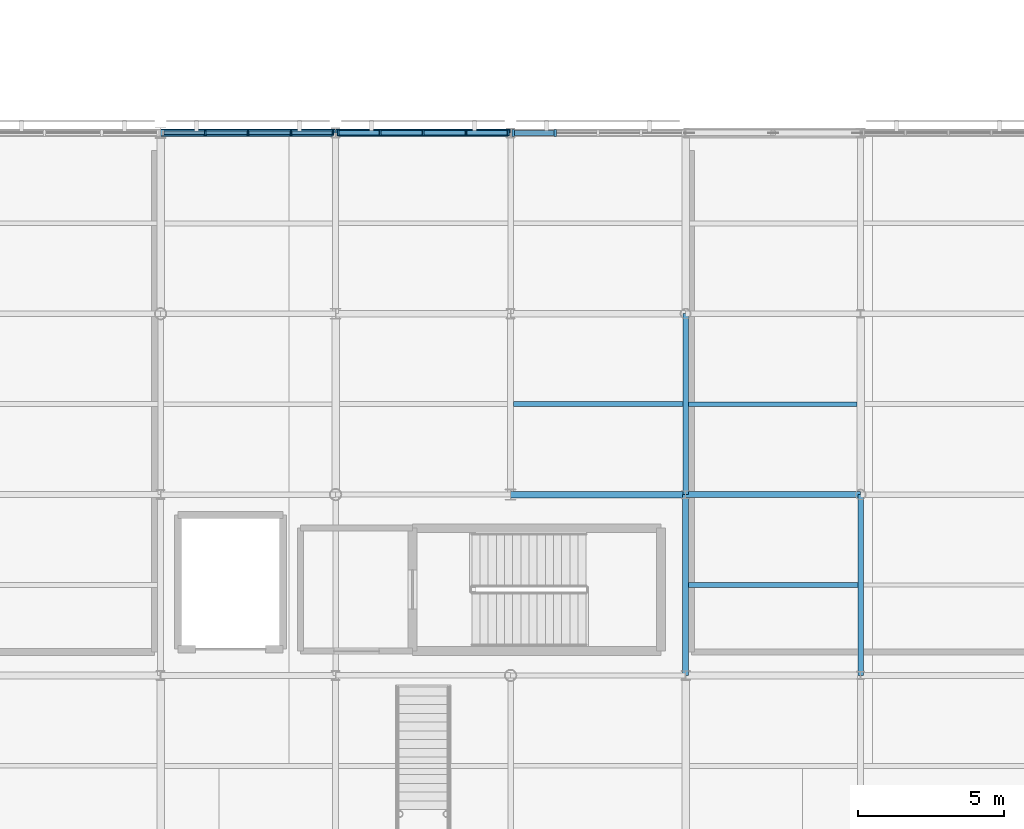
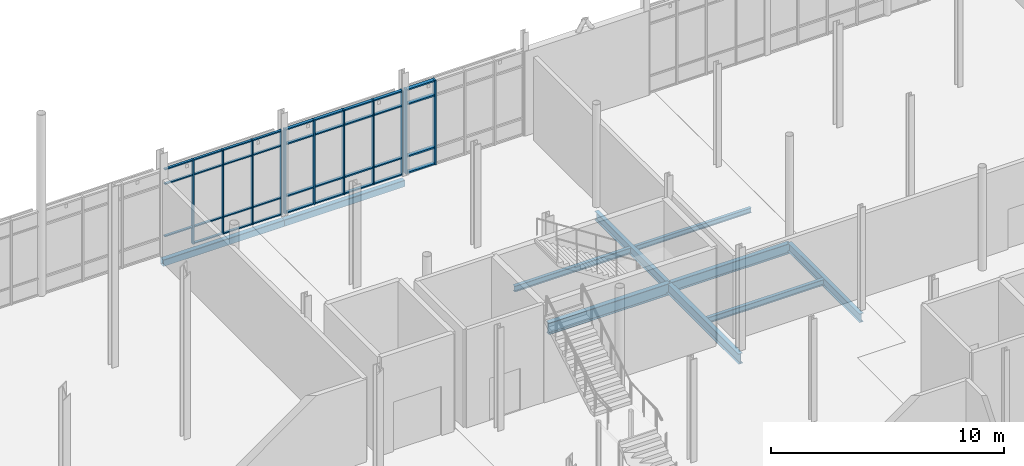
# One storey, part 35 of 105: 46 members, 10 beams, 3 elements without a shape of their own.
"""IFC4 building model written with IfcOpenShell, lengths in metres."""

from ifc_helpers import new_model, si_unit, direction, frame, origin, origin_2d, place, context, subcontext, project, spatial, rectangle, hollow_rectangle, i_section, extrude, material, layer, layer_set, material_profile, profile_set, type_object, element, aggregate, save


model = new_model("IFC4")

# Units and contexts
model_context = context("Model", 3, precision=1e-05, world=origin(), true_north=direction((0.0, 1.0)))
body_context = subcontext(model_context, "Body", "Model", "MODEL_VIEW")
ifc_project = project(units=[si_unit("LENGTHUNIT", "METRE"), si_unit("AREAUNIT", "SQUARE_METRE"), si_unit("VOLUMEUNIT", "CUBIC_METRE"), si_unit("PLANEANGLEUNIT", "RADIAN"), si_unit("MASSUNIT", "GRAM", prefix="KILO")], contexts=[model_context])

# Site, building, storey
site_placement = place(None, origin())
site = spatial("IfcSite", under=ifc_project, at=site_placement, CompositionType="ELEMENT")
building_placement = place(site_placement, origin())
building = spatial("IfcBuilding", under=site, at=building_placement, Name="Mirzam Square Science Centre", CompositionType="ELEMENT")
storey_placement = place(building_placement, frame((0.0, 0.0, 5.39990234375)))
storey = spatial("IfcBuildingStorey", under=building, at=storey_placement, Name="L01", CompositionType="ELEMENT", Elevation=5.39990234375)

# Beams
ifc_material_1 = material(Name="Steel S355", Category="steel")
ifc_material_profile_1 = material_profile(ifc_material_1, i_section(OverallWidth=0.19140625, OverallDepth=0.4599609375, WebThickness=0.010009765625, FlangeThickness=0.01611328125, FilletRadius=0.01025390625, at=origin_2d()), Name="457x191x82UB")
ifc_profile_set_1 = profile_set([ifc_material_profile_1], Name="Steel S355")
beam_type_1 = type_object("IfcBeamType", Name="BM-UB457", PredefinedType="BEAM", material=ifc_profile_set_1)
for number, where, z_axis, x_axis, name in (
    (1, (36.0, 68.199951171875, -0.489990234375), (0.0, 1.0, 0.0), (-1.0, 0.0, 0.0), "L01 girder Y7-12"),
    (2, (42.0, 62.0, -0.489990234375), (0.0, 1.0, 0.0), (-1.0, 0.0, 0.0), "L01 girder Y8-11"),
):
    element("IfcBeam", number, at=place(storey_placement, frame(where, z_axis=z_axis, x_axis=x_axis)), inside=storey, type_object=beam_type_1, Name=name, PredefinedType="BEAM", context=body_context, shape_type="SweptSolid", body=[
        extrude(i_section(OverallWidth=0.19140625, OverallDepth=0.4599609375, WebThickness=0.010009765625, FlangeThickness=0.01611328125, FilletRadius=0.01025390625, at=origin_2d()), origin(), (0.0, 0.0, 1.0), 6.199951171875),
    ])
ifc_material_profile_2 = material_profile(ifc_material_1, i_section(OverallWidth=0.2099609375, OverallDepth=0.53662109375, WebThickness=0.0107421875, FlangeThickness=0.017333984375, FilletRadius=0.0126953125, at=origin_2d()), Name="533x210x101UB")
ifc_profile_set_2 = profile_set([ifc_material_profile_2], Name="Steel S355")
beam_type_2 = type_object("IfcBeamType", Name="BM-UB533", PredefinedType="BEAM", material=ifc_profile_set_2)
beam_1_placement = place(storey_placement, frame((36.0, 68.199951171875, -0.5283203125), z_axis=(1.0, 0.0, 0.0), x_axis=(0.0, 1.0, 0.0)))
element("IfcBeam", 3, at=beam_1_placement, inside=storey, type_object=beam_type_2, Name="L01 girder X7-12", PredefinedType="BEAM", context=body_context, shape_type="SweptSolid", body=[
    extrude(i_section(OverallWidth=0.2099609375, OverallDepth=0.53662109375, WebThickness=0.0107421875, FlangeThickness=0.017333984375, FilletRadius=0.0126953125, at=origin_2d()), origin(), (0.0, 0.0, 1.0), 6.0),
])
beam_2_placement = place(storey_placement, frame((36.0, 62.0, -0.5283203125), z_axis=(0.0, 1.0, 0.0), x_axis=(-1.0, 0.0, 0.0)))
element("IfcBeam", 4, at=beam_2_placement, inside=storey, type_object=beam_type_2, Name="L01 girder Y7-11", PredefinedType="BEAM", context=body_context, shape_type="SweptSolid", body=[
    extrude(i_section(OverallWidth=0.2099609375, OverallDepth=0.53662109375, WebThickness=0.0107421875, FlangeThickness=0.017333984375, FilletRadius=0.0126953125, at=origin_2d()), origin(), (0.0, 0.0, 1.0), 6.199951171875),
])
ifc_material_profile_3 = material_profile(ifc_material_1, i_section(OverallWidth=0.22900390625, OverallDepth=0.6123046875, WebThickness=0.011962890625, FlangeThickness=0.01953125, FilletRadius=0.0126953125, at=origin_2d()), Name="610x229x125UB")
ifc_profile_set_3 = profile_set([ifc_material_profile_3], Name="Steel S355")
beam_type_3 = type_object("IfcBeamType", Name="BM-UB610", PredefinedType="BEAM", material=ifc_profile_set_3)
beam_3_placement = place(storey_placement, frame((30.0, 68.199951171875, -0.56591796875), z_axis=(1.0, 0.0, 0.0), x_axis=(0.0, 1.0, 0.0)))
element("IfcBeam", 5, at=beam_3_placement, inside=storey, type_object=beam_type_3, Name="L01 girder X6-12", PredefinedType="BEAM", context=body_context, shape_type="SweptSolid", body=[
    extrude(i_section(OverallWidth=0.22900390625, OverallDepth=0.6123046875, WebThickness=0.011962890625, FlangeThickness=0.01953125, FilletRadius=0.0126953125, at=origin_2d()), origin(), (0.0, 0.0, 1.0), 6.0),
])

# Curtain wall, members
ifc_material_2 = material(Name="Anodised Aluminium and Low-E Solar Glass", Category="aluminium")
ifc_layer_1 = layer(ifc_material_2, 0.219970703125)
ifc_layer_set_1 = layer_set([ifc_layer_1], Name="CW-OBS-A")
curtain_wall_type_1 = type_object("IfcCurtainWallType", Name="CW-OBS-A", PredefinedType="USERDEFINED", material=ifc_layer_set_1)
curtain_wall_1_placement = place(storey_placement, origin())
curtain_wall_1 = element("IfcCurtainWall", 6, at=curtain_wall_1_placement, inside=storey, type_object=curtain_wall_type_1, Name="L01 unitised curtain wall 12", ObjectType="UNITISED CURTAIN WALL", PredefinedType="USERDEFINED")
ifc_material_3 = material(Name="Anodised Architectural Aluminium 6063-T6", Category="aluminium")
ifc_material_profile_4 = material_profile(ifc_material_3, rectangle(XDim=0.06005859375, YDim=0.159912109375, at=origin_2d()), Name="ALU-MULL-160x60x4")
ifc_profile_set_4 = profile_set([ifc_material_profile_4], Name="Anodised Architectural Aluminium 6063-T6")
member_type_1 = type_object("IfcMemberType", Name="CWM-160", PredefinedType="MULLION", material=ifc_profile_set_4)
member_1_placement = place(storey_placement, frame((23.9150390625, 80.60009765625, 0.0), z_axis=(0.0, 0.0, 1.0), x_axis=(-1.0, 0.0, 0.0)))
member_1 = element("IfcMember", 7, at=member_1_placement, type_object=member_type_1, Name="CW-07 mullion 1", PredefinedType="MULLION", context=body_context, shape_type="SweptSolid", body=[
    extrude(rectangle(XDim=0.06005859375, YDim=0.159912109375, at=origin_2d()), origin(), (0.0, 0.0, 1.0), 4.440185546875),
])
member_2_placement = place(storey_placement, frame((22.472412109375, 80.60009765625, 0.0), z_axis=(0.0, 0.0, 1.0), x_axis=(-1.0, 0.0, 0.0)))
member_2 = element("IfcMember", 8, at=member_2_placement, type_object=member_type_1, Name="CW-07 mullion 2", PredefinedType="MULLION", context=body_context, shape_type="SweptSolid", body=[
    extrude(rectangle(XDim=0.06005859375, YDim=0.159912109375, at=origin_2d()), origin(), (0.0, 0.0, 1.0), 4.440185546875),
])
member_3_placement = place(storey_placement, frame((21.0, 80.60009765625, 0.0), z_axis=(0.0, 0.0, 1.0), x_axis=(-1.0, 0.0, 0.0)))
member_3 = element("IfcMember", 9, at=member_3_placement, type_object=member_type_1, Name="CW-07 mullion 3", PredefinedType="MULLION", context=body_context, shape_type="SweptSolid", body=[
    extrude(rectangle(XDim=0.06005859375, YDim=0.159912109375, at=origin_2d()), origin(), (0.0, 0.0, 1.0), 4.440185546875),
])
member_4_placement = place(storey_placement, frame((19.527587890625, 80.60009765625, 0.0), z_axis=(0.0, 0.0, 1.0), x_axis=(-1.0, 0.0, 0.0)))
member_4 = element("IfcMember", 10, at=member_4_placement, type_object=member_type_1, Name="CW-07 mullion 4", PredefinedType="MULLION", context=body_context, shape_type="SweptSolid", body=[
    extrude(rectangle(XDim=0.06005859375, YDim=0.159912109375, at=origin_2d()), origin(), (0.0, 0.0, 1.0), 4.440185546875),
])

ifc_layer_2 = layer(ifc_material_2, 0.179931640625)
ifc_layer_set_2 = layer_set([ifc_layer_2], Name="CW-LINK-A")
curtain_wall_type_2 = type_object("IfcCurtainWallType", Name="CW-LINK-A", PredefinedType="USERDEFINED", material=ifc_layer_set_2)
curtain_wall_2_placement = place(storey_placement, origin())
curtain_wall_2 = element("IfcCurtainWall", 11, at=curtain_wall_2_placement, inside=storey, type_object=curtain_wall_type_2, Name="L01 unitised curtain wall 13", ObjectType="UNITISED CURTAIN WALL", PredefinedType="USERDEFINED")
ifc_material_profile_5 = material_profile(ifc_material_3, rectangle(XDim=0.06494140625, YDim=0.199951171875, at=origin_2d()), Name="ALU-MULL-200x65x5")
ifc_profile_set_5 = profile_set([ifc_material_profile_5], Name="Anodised Architectural Aluminium 6063-T6")
member_type_2 = type_object("IfcMemberType", Name="CWM-200", PredefinedType="MULLION", material=ifc_profile_set_5)
member_5_placement = place(storey_placement, frame((29.91259765625, 80.60009765625, 0.0), z_axis=(0.0, 0.0, 1.0), x_axis=(-1.0, 0.0, 0.0)))
member_5 = element("IfcMember", 12, at=member_5_placement, type_object=member_type_2, Name="CW-08 mullion 1", PredefinedType="MULLION", context=body_context, shape_type="SweptSolid", body=[
    extrude(rectangle(XDim=0.06494140625, YDim=0.199951171875, at=origin_2d()), origin(), (0.0, 0.0, 1.0), 4.440185546875),
])
member_6_placement = place(storey_placement, frame((28.472412109375, 80.60009765625, 0.0), z_axis=(0.0, 0.0, 1.0), x_axis=(-1.0, 0.0, 0.0)))
member_6 = element("IfcMember", 13, at=member_6_placement, type_object=member_type_2, Name="CW-08 mullion 2", PredefinedType="MULLION", context=body_context, shape_type="SweptSolid", body=[
    extrude(rectangle(XDim=0.06494140625, YDim=0.199951171875, at=origin_2d()), origin(), (0.0, 0.0, 1.0), 4.440185546875),
])
member_7_placement = place(storey_placement, frame((27.0, 80.60009765625, 0.0), z_axis=(0.0, 0.0, 1.0), x_axis=(-1.0, 0.0, 0.0)))
member_7 = element("IfcMember", 14, at=member_7_placement, type_object=member_type_2, Name="CW-08 mullion 3", PredefinedType="MULLION", context=body_context, shape_type="SweptSolid", body=[
    extrude(rectangle(XDim=0.06494140625, YDim=0.199951171875, at=origin_2d()), origin(), (0.0, 0.0, 1.0), 4.440185546875),
])
member_8_placement = place(storey_placement, frame((25.527587890625, 80.60009765625, 0.0), z_axis=(0.0, 0.0, 1.0), x_axis=(-1.0, 0.0, 0.0)))
member_8 = element("IfcMember", 15, at=member_8_placement, type_object=member_type_2, Name="CW-08 mullion 4", PredefinedType="MULLION", context=body_context, shape_type="SweptSolid", body=[
    extrude(rectangle(XDim=0.06494140625, YDim=0.199951171875, at=origin_2d()), origin(), (0.0, 0.0, 1.0), 4.440185546875),
])
member_9_placement = place(storey_placement, frame((24.08740234375, 80.60009765625, 0.0), z_axis=(0.0, 0.0, 1.0), x_axis=(-1.0, 0.0, 0.0)))
member_9 = element("IfcMember", 16, at=member_9_placement, type_object=member_type_2, Name="CW-08 mullion 5", PredefinedType="MULLION", context=body_context, shape_type="SweptSolid", body=[
    extrude(rectangle(XDim=0.06494140625, YDim=0.199951171875, at=origin_2d()), origin(), (0.0, 0.0, 1.0), 4.440185546875),
])

ifc_layer_3 = layer(ifc_material_2, 0.179931640625)
ifc_layer_set_3 = layer_set([ifc_layer_3], Name="CW-PARK-A")
curtain_wall_type_3 = type_object("IfcCurtainWallType", Name="CW-PARK-A", PredefinedType="USERDEFINED", material=ifc_layer_set_3)
curtain_wall_3_placement = place(storey_placement, origin())
curtain_wall_3 = element("IfcCurtainWall", 17, at=curtain_wall_3_placement, inside=storey, type_object=curtain_wall_type_3, Name="L01 unitised curtain wall 14", ObjectType="UNITISED CURTAIN WALL", PredefinedType="USERDEFINED")
ifc_material_profile_6 = material_profile(ifc_material_3, rectangle(XDim=0.074951171875, YDim=0.239990234375, at=origin_2d()), Name="ALU-MULL-240x75x5")
ifc_profile_set_6 = profile_set([ifc_material_profile_6], Name="Anodised Architectural Aluminium 6063-T6")
member_type_3 = type_object("IfcMemberType", Name="CWM-240", PredefinedType="MULLION", material=ifc_profile_set_6)
member_10_placement = place(storey_placement, frame((31.527587890625, 80.60009765625, 0.0), z_axis=(0.0, 0.0, 1.0), x_axis=(-1.0, 0.0, 0.0)))
member_10 = element("IfcMember", 18, at=member_10_placement, type_object=member_type_3, Name="CW-01 mullion 4", PredefinedType="MULLION", context=body_context, shape_type="SweptSolid", body=[
    extrude(rectangle(XDim=0.074951171875, YDim=0.239990234375, at=origin_2d()), origin(), (0.0, 0.0, 1.0), 4.440185546875),
])
member_11_placement = place(storey_placement, frame((30.092529296875, 80.60009765625, 0.0), z_axis=(0.0, 0.0, 1.0), x_axis=(-1.0, 0.0, 0.0)))
member_11 = element("IfcMember", 19, at=member_11_placement, type_object=member_type_3, Name="CW-01 mullion 5", PredefinedType="MULLION", context=body_context, shape_type="SweptSolid", body=[
    extrude(rectangle(XDim=0.074951171875, YDim=0.239990234375, at=origin_2d()), origin(), (0.0, 0.0, 1.0), 4.440185546875),
])

# Member
ifc_material_profile_7 = material_profile(ifc_material_3, rectangle(XDim=0.1201171875, YDim=0.06005859375, at=origin_2d()), Name="ALU-TRAN-120x60x4")
ifc_profile_set_7 = profile_set([ifc_material_profile_7], Name="Anodised Architectural Aluminium 6063-T6")
member_type_4 = type_object("IfcMemberType", Name="CWT-120", PredefinedType="USERDEFINED", material=ifc_profile_set_7)
member_12_placement = place(storey_placement, frame((23.885009765625, 80.60009765625, 0.030029296875), z_axis=(-1.0, 0.0, 0.0), x_axis=(0.0, -1.0, 0.0)))
member_12 = element("IfcMember", 20, at=member_12_placement, type_object=member_type_4, Name="CW-07 transom 1.1", ObjectType="TRANSOM", PredefinedType="USERDEFINED", context=body_context, shape_type="SweptSolid", body=[
    extrude(rectangle(XDim=0.1201171875, YDim=0.06005859375, at=origin_2d()), origin(), (0.0, 0.0, 1.0), 1.382568359375),
])

member_13_placement = place(storey_placement, frame((23.885009765625, 80.60009765625, 0.900146484375), z_axis=(-1.0, 0.0, 0.0), x_axis=(0.0, -1.0, 0.0)))
member_13 = element("IfcMember", 21, at=member_13_placement, type_object=member_type_4, Name="CW-07 transom 1.2", ObjectType="TRANSOM", PredefinedType="USERDEFINED", context=body_context, shape_type="SweptSolid", body=[
    extrude(rectangle(XDim=0.1201171875, YDim=0.06005859375, at=origin_2d()), origin(), (0.0, 0.0, 1.0), 1.382568359375),
])

member_14_placement = place(storey_placement, frame((23.885009765625, 80.60009765625, 3.64013671875), z_axis=(-1.0, 0.0, 0.0), x_axis=(0.0, -1.0, 0.0)))
member_14 = element("IfcMember", 22, at=member_14_placement, type_object=member_type_4, Name="CW-07 transom 1.3", ObjectType="TRANSOM", PredefinedType="USERDEFINED", context=body_context, shape_type="SweptSolid", body=[
    extrude(rectangle(XDim=0.1201171875, YDim=0.06005859375, at=origin_2d()), origin(), (0.0, 0.0, 1.0), 1.382568359375),
])

member_15_placement = place(storey_placement, frame((23.885009765625, 80.60009765625, 4.41015625), z_axis=(-1.0, 0.0, 0.0), x_axis=(0.0, -1.0, 0.0)))
member_15 = element("IfcMember", 23, at=member_15_placement, type_object=member_type_4, Name="CW-07 transom 1.4", ObjectType="TRANSOM", PredefinedType="USERDEFINED", context=body_context, shape_type="SweptSolid", body=[
    extrude(rectangle(XDim=0.1201171875, YDim=0.06005859375, at=origin_2d()), origin(), (0.0, 0.0, 1.0), 1.382568359375),
])

member_16_placement = place(storey_placement, frame((22.4423828125, 80.60009765625, 0.030029296875), z_axis=(-1.0, 0.0, 0.0), x_axis=(0.0, -1.0, 0.0)))
member_16 = element("IfcMember", 24, at=member_16_placement, type_object=member_type_4, Name="CW-07 transom 2.1", ObjectType="TRANSOM", PredefinedType="USERDEFINED", context=body_context, shape_type="SweptSolid", body=[
    extrude(rectangle(XDim=0.1201171875, YDim=0.06005859375, at=origin_2d()), origin(), (0.0, 0.0, 1.0), 1.412353515625),
])

member_17_placement = place(storey_placement, frame((22.4423828125, 80.60009765625, 0.900146484375), z_axis=(-1.0, 0.0, 0.0), x_axis=(0.0, -1.0, 0.0)))
member_17 = element("IfcMember", 25, at=member_17_placement, type_object=member_type_4, Name="CW-07 transom 2.2", ObjectType="TRANSOM", PredefinedType="USERDEFINED", context=body_context, shape_type="SweptSolid", body=[
    extrude(rectangle(XDim=0.1201171875, YDim=0.06005859375, at=origin_2d()), origin(), (0.0, 0.0, 1.0), 1.412353515625),
])

member_18_placement = place(storey_placement, frame((22.4423828125, 80.60009765625, 3.64013671875), z_axis=(-1.0, 0.0, 0.0), x_axis=(0.0, -1.0, 0.0)))
member_18 = element("IfcMember", 26, at=member_18_placement, type_object=member_type_4, Name="CW-07 transom 2.3", ObjectType="TRANSOM", PredefinedType="USERDEFINED", context=body_context, shape_type="SweptSolid", body=[
    extrude(rectangle(XDim=0.1201171875, YDim=0.06005859375, at=origin_2d()), origin(), (0.0, 0.0, 1.0), 1.412353515625),
])

member_19_placement = place(storey_placement, frame((22.4423828125, 80.60009765625, 4.41015625), z_axis=(-1.0, 0.0, 0.0), x_axis=(0.0, -1.0, 0.0)))
member_19 = element("IfcMember", 27, at=member_19_placement, type_object=member_type_4, Name="CW-07 transom 2.4", ObjectType="TRANSOM", PredefinedType="USERDEFINED", context=body_context, shape_type="SweptSolid", body=[
    extrude(rectangle(XDim=0.1201171875, YDim=0.06005859375, at=origin_2d()), origin(), (0.0, 0.0, 1.0), 1.412353515625),
])

member_20_placement = place(storey_placement, frame((20.969970703125, 80.60009765625, 0.030029296875), z_axis=(-1.0, 0.0, 0.0), x_axis=(0.0, -1.0, 0.0)))
member_20 = element("IfcMember", 28, at=member_20_placement, type_object=member_type_4, Name="CW-07 transom 3.1", ObjectType="TRANSOM", PredefinedType="USERDEFINED", context=body_context, shape_type="SweptSolid", body=[
    extrude(rectangle(XDim=0.1201171875, YDim=0.06005859375, at=origin_2d()), origin(), (0.0, 0.0, 1.0), 1.412353515625),
])

member_21_placement = place(storey_placement, frame((20.969970703125, 80.60009765625, 0.900146484375), z_axis=(-1.0, 0.0, 0.0), x_axis=(0.0, -1.0, 0.0)))
member_21 = element("IfcMember", 29, at=member_21_placement, type_object=member_type_4, Name="CW-07 transom 3.2", ObjectType="TRANSOM", PredefinedType="USERDEFINED", context=body_context, shape_type="SweptSolid", body=[
    extrude(rectangle(XDim=0.1201171875, YDim=0.06005859375, at=origin_2d()), origin(), (0.0, 0.0, 1.0), 1.412353515625),
])

member_22_placement = place(storey_placement, frame((20.969970703125, 80.60009765625, 3.64013671875), z_axis=(-1.0, 0.0, 0.0), x_axis=(0.0, -1.0, 0.0)))
member_22 = element("IfcMember", 30, at=member_22_placement, type_object=member_type_4, Name="CW-07 transom 3.3", ObjectType="TRANSOM", PredefinedType="USERDEFINED", context=body_context, shape_type="SweptSolid", body=[
    extrude(rectangle(XDim=0.1201171875, YDim=0.06005859375, at=origin_2d()), origin(), (0.0, 0.0, 1.0), 1.412353515625),
])

member_23_placement = place(storey_placement, frame((20.969970703125, 80.60009765625, 4.41015625), z_axis=(-1.0, 0.0, 0.0), x_axis=(0.0, -1.0, 0.0)))
member_23 = element("IfcMember", 31, at=member_23_placement, type_object=member_type_4, Name="CW-07 transom 3.4", ObjectType="TRANSOM", PredefinedType="USERDEFINED", context=body_context, shape_type="SweptSolid", body=[
    extrude(rectangle(XDim=0.1201171875, YDim=0.06005859375, at=origin_2d()), origin(), (0.0, 0.0, 1.0), 1.412353515625),
])

member_24_placement = place(storey_placement, frame((19.49755859375, 80.60009765625, 0.900146484375), z_axis=(-1.0, 0.0, 0.0), x_axis=(0.0, -1.0, 0.0)))
member_24 = element("IfcMember", 32, at=member_24_placement, type_object=member_type_4, Name="CW-07 transom 4.2", ObjectType="TRANSOM", PredefinedType="USERDEFINED", context=body_context, shape_type="SweptSolid", body=[
    extrude(rectangle(XDim=0.1201171875, YDim=0.06005859375, at=origin_2d()), origin(), (0.0, 0.0, 1.0), 1.382568359375),
])

member_25_placement = place(storey_placement, frame((19.49755859375, 80.60009765625, 3.64013671875), z_axis=(-1.0, 0.0, 0.0), x_axis=(0.0, -1.0, 0.0)))
member_25 = element("IfcMember", 33, at=member_25_placement, type_object=member_type_4, Name="CW-07 transom 4.3", ObjectType="TRANSOM", PredefinedType="USERDEFINED", context=body_context, shape_type="SweptSolid", body=[
    extrude(rectangle(XDim=0.1201171875, YDim=0.06005859375, at=origin_2d()), origin(), (0.0, 0.0, 1.0), 1.382568359375),
])

member_26_placement = place(storey_placement, frame((19.49755859375, 80.60009765625, 4.41015625), z_axis=(-1.0, 0.0, 0.0), x_axis=(0.0, -1.0, 0.0)))
member_26 = element("IfcMember", 34, at=member_26_placement, type_object=member_type_4, Name="CW-07 transom 4.4", ObjectType="TRANSOM", PredefinedType="USERDEFINED", context=body_context, shape_type="SweptSolid", body=[
    extrude(rectangle(XDim=0.1201171875, YDim=0.06005859375, at=origin_2d()), origin(), (0.0, 0.0, 1.0), 1.382568359375),
])

aggregate(curtain_wall_1, [member_1, member_2, member_3, member_4, member_12, member_13, member_14, member_15, member_16, member_17, member_18, member_19, member_20, member_21, member_22, member_23, member_24, member_25, member_26])

ifc_material_profile_8 = material_profile(ifc_material_3, rectangle(XDim=0.14990234375, YDim=0.06494140625, at=origin_2d()), Name="ALU-TRAN-150x65x4")
ifc_profile_set_8 = profile_set([ifc_material_profile_8], Name="Anodised Architectural Aluminium 6063-T6")
member_type_5 = type_object("IfcMemberType", Name="CWT-150", PredefinedType="USERDEFINED", material=ifc_profile_set_8)
member_27_placement = place(storey_placement, frame((29.8798828125, 80.60009765625, 0.03271484375), z_axis=(-1.0, 0.0, 0.0), x_axis=(0.0, -1.0, 0.0)))
member_27 = element("IfcMember", 35, at=member_27_placement, type_object=member_type_5, Name="CW-08 transom 1.1", ObjectType="TRANSOM", PredefinedType="USERDEFINED", context=body_context, shape_type="SweptSolid", body=[
    extrude(rectangle(XDim=0.14990234375, YDim=0.06494140625, at=origin_2d()), origin(), (0.0, 0.0, 1.0), 1.375),
])

member_28_placement = place(storey_placement, frame((29.8798828125, 80.60009765625, 0.900146484375), z_axis=(-1.0, 0.0, 0.0), x_axis=(0.0, -1.0, 0.0)))
member_28 = element("IfcMember", 36, at=member_28_placement, type_object=member_type_5, Name="CW-08 transom 1.2", ObjectType="TRANSOM", PredefinedType="USERDEFINED", context=body_context, shape_type="SweptSolid", body=[
    extrude(rectangle(XDim=0.14990234375, YDim=0.06494140625, at=origin_2d()), origin(), (0.0, 0.0, 1.0), 1.375),
])

member_29_placement = place(storey_placement, frame((29.8798828125, 80.60009765625, 3.64013671875), z_axis=(-1.0, 0.0, 0.0), x_axis=(0.0, -1.0, 0.0)))
member_29 = element("IfcMember", 37, at=member_29_placement, type_object=member_type_5, Name="CW-08 transom 1.3", ObjectType="TRANSOM", PredefinedType="USERDEFINED", context=body_context, shape_type="SweptSolid", body=[
    extrude(rectangle(XDim=0.14990234375, YDim=0.06494140625, at=origin_2d()), origin(), (0.0, 0.0, 1.0), 1.375),
])

member_30_placement = place(storey_placement, frame((29.8798828125, 80.60009765625, 4.40771484375), z_axis=(-1.0, 0.0, 0.0), x_axis=(0.0, -1.0, 0.0)))
member_30 = element("IfcMember", 38, at=member_30_placement, type_object=member_type_5, Name="CW-08 transom 1.4", ObjectType="TRANSOM", PredefinedType="USERDEFINED", context=body_context, shape_type="SweptSolid", body=[
    extrude(rectangle(XDim=0.14990234375, YDim=0.06494140625, at=origin_2d()), origin(), (0.0, 0.0, 1.0), 1.375),
])

member_31_placement = place(storey_placement, frame((28.43994140625, 80.60009765625, 0.03271484375), z_axis=(-1.0, 0.0, 0.0), x_axis=(0.0, -1.0, 0.0)))
member_31 = element("IfcMember", 39, at=member_31_placement, type_object=member_type_5, Name="CW-08 transom 2.1", ObjectType="TRANSOM", PredefinedType="USERDEFINED", context=body_context, shape_type="SweptSolid", body=[
    extrude(rectangle(XDim=0.14990234375, YDim=0.06494140625, at=origin_2d()), origin(), (0.0, 0.0, 1.0), 1.407470703125),
])

member_32_placement = place(storey_placement, frame((28.43994140625, 80.60009765625, 0.900146484375), z_axis=(-1.0, 0.0, 0.0), x_axis=(0.0, -1.0, 0.0)))
member_32 = element("IfcMember", 40, at=member_32_placement, type_object=member_type_5, Name="CW-08 transom 2.2", ObjectType="TRANSOM", PredefinedType="USERDEFINED", context=body_context, shape_type="SweptSolid", body=[
    extrude(rectangle(XDim=0.14990234375, YDim=0.06494140625, at=origin_2d()), origin(), (0.0, 0.0, 1.0), 1.407470703125),
])

member_33_placement = place(storey_placement, frame((28.43994140625, 80.60009765625, 3.64013671875), z_axis=(-1.0, 0.0, 0.0), x_axis=(0.0, -1.0, 0.0)))
member_33 = element("IfcMember", 41, at=member_33_placement, type_object=member_type_5, Name="CW-08 transom 2.3", ObjectType="TRANSOM", PredefinedType="USERDEFINED", context=body_context, shape_type="SweptSolid", body=[
    extrude(rectangle(XDim=0.14990234375, YDim=0.06494140625, at=origin_2d()), origin(), (0.0, 0.0, 1.0), 1.407470703125),
])

member_34_placement = place(storey_placement, frame((28.43994140625, 80.60009765625, 4.40771484375), z_axis=(-1.0, 0.0, 0.0), x_axis=(0.0, -1.0, 0.0)))
member_34 = element("IfcMember", 42, at=member_34_placement, type_object=member_type_5, Name="CW-08 transom 2.4", ObjectType="TRANSOM", PredefinedType="USERDEFINED", context=body_context, shape_type="SweptSolid", body=[
    extrude(rectangle(XDim=0.14990234375, YDim=0.06494140625, at=origin_2d()), origin(), (0.0, 0.0, 1.0), 1.407470703125),
])

member_35_placement = place(storey_placement, frame((26.967529296875, 80.60009765625, 0.03271484375), z_axis=(-1.0, 0.0, 0.0), x_axis=(0.0, -1.0, 0.0)))
member_35 = element("IfcMember", 43, at=member_35_placement, type_object=member_type_5, Name="CW-08 transom 3.1", ObjectType="TRANSOM", PredefinedType="USERDEFINED", context=body_context, shape_type="SweptSolid", body=[
    extrude(rectangle(XDim=0.14990234375, YDim=0.06494140625, at=origin_2d()), origin(), (0.0, 0.0, 1.0), 1.407470703125),
])

member_36_placement = place(storey_placement, frame((26.967529296875, 80.60009765625, 0.900146484375), z_axis=(-1.0, 0.0, 0.0), x_axis=(0.0, -1.0, 0.0)))
member_36 = element("IfcMember", 44, at=member_36_placement, type_object=member_type_5, Name="CW-08 transom 3.2", ObjectType="TRANSOM", PredefinedType="USERDEFINED", context=body_context, shape_type="SweptSolid", body=[
    extrude(rectangle(XDim=0.14990234375, YDim=0.06494140625, at=origin_2d()), origin(), (0.0, 0.0, 1.0), 1.407470703125),
])

member_37_placement = place(storey_placement, frame((26.967529296875, 80.60009765625, 3.64013671875), z_axis=(-1.0, 0.0, 0.0), x_axis=(0.0, -1.0, 0.0)))
member_37 = element("IfcMember", 45, at=member_37_placement, type_object=member_type_5, Name="CW-08 transom 3.3", ObjectType="TRANSOM", PredefinedType="USERDEFINED", context=body_context, shape_type="SweptSolid", body=[
    extrude(rectangle(XDim=0.14990234375, YDim=0.06494140625, at=origin_2d()), origin(), (0.0, 0.0, 1.0), 1.407470703125),
])

member_38_placement = place(storey_placement, frame((26.967529296875, 80.60009765625, 4.40771484375), z_axis=(-1.0, 0.0, 0.0), x_axis=(0.0, -1.0, 0.0)))
member_38 = element("IfcMember", 46, at=member_38_placement, type_object=member_type_5, Name="CW-08 transom 3.4", ObjectType="TRANSOM", PredefinedType="USERDEFINED", context=body_context, shape_type="SweptSolid", body=[
    extrude(rectangle(XDim=0.14990234375, YDim=0.06494140625, at=origin_2d()), origin(), (0.0, 0.0, 1.0), 1.407470703125),
])

member_39_placement = place(storey_placement, frame((25.4951171875, 80.60009765625, 0.03271484375), z_axis=(-1.0, 0.0, 0.0), x_axis=(0.0, -1.0, 0.0)))
member_39 = element("IfcMember", 47, at=member_39_placement, type_object=member_type_5, Name="CW-08 transom 4.1", ObjectType="TRANSOM", PredefinedType="USERDEFINED", context=body_context, shape_type="SweptSolid", body=[
    extrude(rectangle(XDim=0.14990234375, YDim=0.06494140625, at=origin_2d()), origin(), (0.0, 0.0, 1.0), 1.375),
])

member_40_placement = place(storey_placement, frame((25.4951171875, 80.60009765625, 0.900146484375), z_axis=(-1.0, 0.0, 0.0), x_axis=(0.0, -1.0, 0.0)))
member_40 = element("IfcMember", 48, at=member_40_placement, type_object=member_type_5, Name="CW-08 transom 4.2", ObjectType="TRANSOM", PredefinedType="USERDEFINED", context=body_context, shape_type="SweptSolid", body=[
    extrude(rectangle(XDim=0.14990234375, YDim=0.06494140625, at=origin_2d()), origin(), (0.0, 0.0, 1.0), 1.375),
])

member_41_placement = place(storey_placement, frame((25.4951171875, 80.60009765625, 3.64013671875), z_axis=(-1.0, 0.0, 0.0), x_axis=(0.0, -1.0, 0.0)))
member_41 = element("IfcMember", 49, at=member_41_placement, type_object=member_type_5, Name="CW-08 transom 4.3", ObjectType="TRANSOM", PredefinedType="USERDEFINED", context=body_context, shape_type="SweptSolid", body=[
    extrude(rectangle(XDim=0.14990234375, YDim=0.06494140625, at=origin_2d()), origin(), (0.0, 0.0, 1.0), 1.375),
])

member_42_placement = place(storey_placement, frame((25.4951171875, 80.60009765625, 4.40771484375), z_axis=(-1.0, 0.0, 0.0), x_axis=(0.0, -1.0, 0.0)))
member_42 = element("IfcMember", 50, at=member_42_placement, type_object=member_type_5, Name="CW-08 transom 4.4", ObjectType="TRANSOM", PredefinedType="USERDEFINED", context=body_context, shape_type="SweptSolid", body=[
    extrude(rectangle(XDim=0.14990234375, YDim=0.06494140625, at=origin_2d()), origin(), (0.0, 0.0, 1.0), 1.375),
])

aggregate(curtain_wall_2, [member_5, member_6, member_7, member_8, member_9, member_27, member_28, member_29, member_30, member_31, member_32, member_33, member_34, member_35, member_36, member_37, member_38, member_39, member_40, member_41, member_42])

ifc_material_profile_9 = material_profile(ifc_material_3, rectangle(XDim=0.179931640625, YDim=0.074951171875, at=origin_2d()), Name="ALU-TRAN-180x75x5")
ifc_profile_set_9 = profile_set([ifc_material_profile_9], Name="Anodised Architectural Aluminium 6063-T6")
member_type_6 = type_object("IfcMemberType", Name="CWT-180", PredefinedType="USERDEFINED", material=ifc_profile_set_9)
member_43_placement = place(storey_placement, frame((31.489990234375, 80.60009765625, 0.03759765625), z_axis=(-1.0, 0.0, 0.0), x_axis=(0.0, -1.0, 0.0)))
member_43 = element("IfcMember", 51, at=member_43_placement, type_object=member_type_6, Name="CW-01 transom 4.1", ObjectType="TRANSOM", PredefinedType="USERDEFINED", context=body_context, shape_type="SweptSolid", body=[
    extrude(rectangle(XDim=0.179931640625, YDim=0.074951171875, at=origin_2d()), origin(), (0.0, 0.0, 1.0), 1.360107421875),
])

member_44_placement = place(storey_placement, frame((31.489990234375, 80.60009765625, 0.900146484375), z_axis=(-1.0, 0.0, 0.0), x_axis=(0.0, -1.0, 0.0)))
member_44 = element("IfcMember", 52, at=member_44_placement, type_object=member_type_6, Name="CW-01 transom 4.2", ObjectType="TRANSOM", PredefinedType="USERDEFINED", context=body_context, shape_type="SweptSolid", body=[
    extrude(rectangle(XDim=0.179931640625, YDim=0.074951171875, at=origin_2d()), origin(), (0.0, 0.0, 1.0), 1.360107421875),
])

member_45_placement = place(storey_placement, frame((31.489990234375, 80.60009765625, 3.64013671875), z_axis=(-1.0, 0.0, 0.0), x_axis=(0.0, -1.0, 0.0)))
member_45 = element("IfcMember", 53, at=member_45_placement, type_object=member_type_6, Name="CW-01 transom 4.3", ObjectType="TRANSOM", PredefinedType="USERDEFINED", context=body_context, shape_type="SweptSolid", body=[
    extrude(rectangle(XDim=0.179931640625, YDim=0.074951171875, at=origin_2d()), origin(), (0.0, 0.0, 1.0), 1.360107421875),
])

member_46_placement = place(storey_placement, frame((31.489990234375, 80.60009765625, 4.402587890625), z_axis=(-1.0, 0.0, 0.0), x_axis=(0.0, -1.0, 0.0)))
member_46 = element("IfcMember", 54, at=member_46_placement, type_object=member_type_6, Name="CW-01 transom 4.4", ObjectType="TRANSOM", PredefinedType="USERDEFINED", context=body_context, shape_type="SweptSolid", body=[
    extrude(rectangle(XDim=0.179931640625, YDim=0.074951171875, at=origin_2d()), origin(), (0.0, 0.0, 1.0), 1.360107421875),
])

aggregate(curtain_wall_3, [member_10, member_11, member_43, member_44, member_45, member_46])

# Beams
ifc_material_profile_10 = material_profile(ifc_material_1, i_section(OverallWidth=0.146484375, OverallDepth=0.256103515625, WebThickness=0.00634765625, FlangeThickness=0.010986328125, FilletRadius=0.007568359375, at=origin_2d()), Name="254x146x37UB")
ifc_profile_set_10 = profile_set([ifc_material_profile_10], Name="Steel S355")
beam_type_4 = type_object("IfcBeamType", Name="JS-UB254", PredefinedType="JOIST", material=ifc_profile_set_10)
beam_4_placement = place(storey_placement, frame((36.095703125, 71.300048828125, -0.387939453125), z_axis=(1.0, 0.0, 0.0), x_axis=(0.0, 1.0, 0.0)))
element("IfcBeam", 55, at=beam_4_placement, inside=storey, type_object=beam_type_4, Name="L01 composite joist 7-12", PredefinedType="JOIST", context=body_context, shape_type="SweptSolid", body=[
    extrude(i_section(OverallWidth=0.146484375, OverallDepth=0.256103515625, WebThickness=0.00634765625, FlangeThickness=0.010986328125, FilletRadius=0.007568359375, at=origin_2d()), origin(), (0.0, 0.0, 1.0), 5.777099609375),
])
ifc_material_profile_11 = material_profile(ifc_material_1, i_section(OverallWidth=0.165771484375, OverallDepth=0.306640625, WebThickness=0.006591796875, FlangeThickness=0.01171875, FilletRadius=0.0087890625, at=origin_2d()), Name="305x165x46UB")
ifc_profile_set_11 = profile_set([ifc_material_profile_11], Name="Steel S355")
beam_type_5 = type_object("IfcBeamType", Name="JS-UB305", PredefinedType="JOIST", material=ifc_profile_set_11)
for number, where, z_axis, x_axis, name in (
    (56, (30.10498046875, 71.300048828125, -0.4130859375), (1.0, 0.0, 0.0), (0.0, 1.0, 0.0), "L01 composite joist 6-12"),
    (57, (36.10498046875, 65.10009765625, -0.4130859375), (1.0, 0.0, 0.0), (0.0, 1.0, 0.0), "L01 composite joist 7-11"),
):
    element("IfcBeam", number, at=place(storey_placement, frame(where, z_axis=z_axis, x_axis=x_axis)), inside=storey, type_object=beam_type_5, Name=name, PredefinedType="JOIST", context=body_context, shape_type="SweptSolid", body=[
        extrude(i_section(OverallWidth=0.165771484375, OverallDepth=0.306640625, WebThickness=0.006591796875, FlangeThickness=0.01171875, FilletRadius=0.0087890625, at=origin_2d()), origin(), (0.0, 0.0, 1.0), 5.79931640625),
    ])
ifc_material_profile_12 = material_profile(ifc_material_1, hollow_rectangle(XDim=0.25, YDim=0.35009765625, WallThickness=0.012451171875, InnerFilletRadius=0.012451171875, OuterFilletRadius=0.02490234375, at=origin_2d()), Name="350x250x12.5RHS")
ifc_profile_set_12 = profile_set([ifc_material_profile_12], Name="Steel S355")
beam_type_6 = type_object("IfcBeamType", Name="SP-RHS350", PredefinedType="SPANDREL", material=ifc_profile_set_12)
for number, where, z_axis, x_axis, name in (
    (58, (18.0, 80.60009765625, -0.434814453125), (1.0, 0.0, 0.0), (0.0, 1.0, 0.0), "L01 girder X4-14"),
    (59, (24.0, 80.60009765625, -0.434814453125), (1.0, 0.0, 0.0), (0.0, 1.0, 0.0), "L01 girder X5-14"),
):
    element("IfcBeam", number, at=place(storey_placement, frame(where, z_axis=z_axis, x_axis=x_axis)), inside=storey, type_object=beam_type_6, Name=name, PredefinedType="SPANDREL", context=body_context, shape_type="SweptSolid", body=[
        extrude(hollow_rectangle(XDim=0.25, YDim=0.35009765625, WallThickness=0.012451171875, InnerFilletRadius=0.012451171875, OuterFilletRadius=0.02490234375, at=origin_2d()), origin(), (0.0, 0.0, 1.0), 6.0),
    ])

save(model, "model.ifc")
